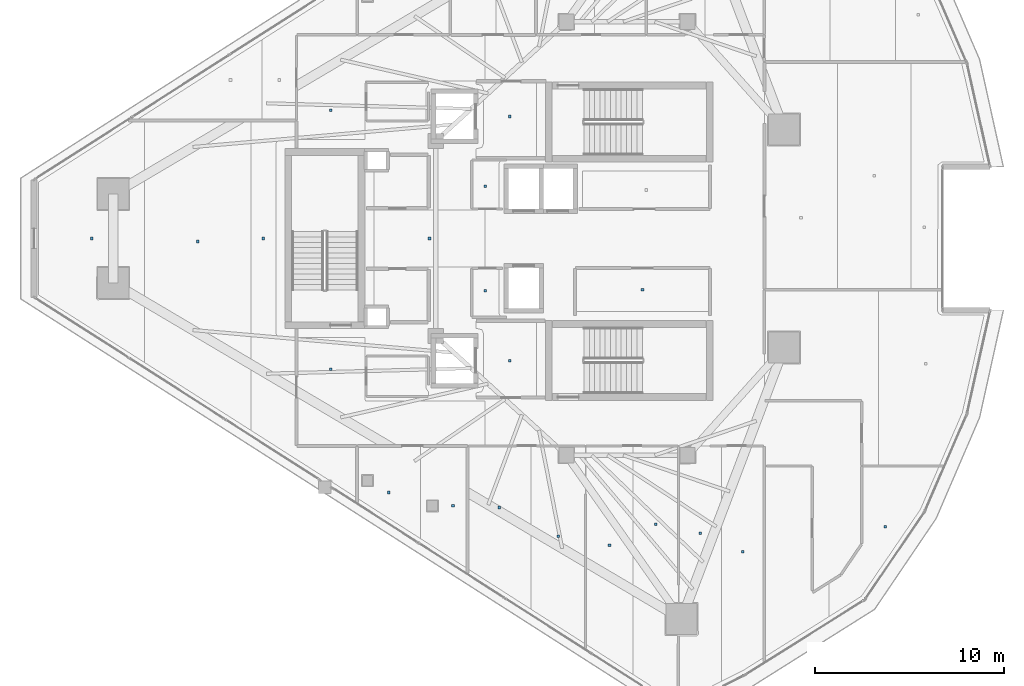
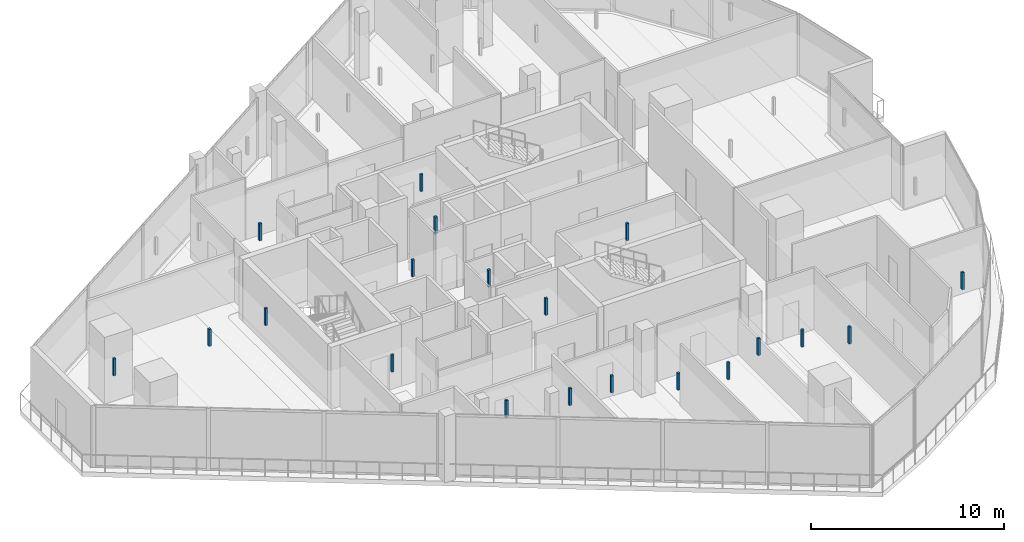
# One storey, part 26 of 33: 20 discrete accessories.
"""IFC4 building model written with IfcOpenShell, lengths in metres."""

from ifc_helpers import new_model, si_unit, direction, frame, origin, origin_2d, place, context, subcontext, project, spatial, rectangle, extrude, material, type_object, element, save


model = new_model("IFC4")

# Units and contexts
model_context = context("Model", 3, precision=1e-05, world=origin(), true_north=direction((0.0, 1.0)))
body_context = subcontext(model_context, "Body", "Model", "MODEL_VIEW")
ifc_project = project(units=[si_unit("LENGTHUNIT", "METRE"), si_unit("AREAUNIT", "SQUARE_METRE"), si_unit("VOLUMEUNIT", "CUBIC_METRE"), si_unit("PLANEANGLEUNIT", "RADIAN"), si_unit("MASSUNIT", "GRAM", prefix="KILO")], contexts=[model_context])

# Site, building, storey
site_placement = place(None, origin())
site = spatial("IfcSite", under=ifc_project, at=site_placement, CompositionType="ELEMENT")
building_placement = place(site_placement, origin())
building = spatial("IfcBuilding", under=site, at=building_placement, Name="Qorvath Tower", CompositionType="ELEMENT")
storey_placement = place(building_placement, frame((0.0, 0.0, 280.800048828125)))
storey = spatial("IfcBuildingStorey", under=building, at=storey_placement, Name="L65", CompositionType="ELEMENT", Elevation=280.800048828125)

# Discrete accessories
ifc_material = material(Name="Galvanised steel bracket", Category="steel")
discrete_accessory_type = type_object("IfcDiscreteAccessoryType", Name="DA-BRACKET", PredefinedType="BRACKET", material=ifc_material)
for number, where, z_axis, x_axis, name in (
    (1, (-26.590087890625, 6.449951171875, 2.85986328125), (0.0, 0.0, 1.0), (1.0, 0.0, 0.0), "Acoustic Ceiling Suspension Hanger T1-L65-001"),
    (2, (-26.590087890625, -6.449951171875, 2.85986328125), (0.0, 0.0, 1.0), (1.0, 0.0, 0.0), "Acoustic Ceiling Suspension Hanger T1-L65-002"),
    (3, (-19.574951171875, -2.70751953125, 2.85986328125), (0.0, 0.0, 1.0), (1.0, 0.0, 0.0), "Acoustic Ceiling Suspension Hanger T1-L65-004"),
    (4, (-27.87744140625, 2.762451171875, 2.85986328125), (0.0, 0.0, 1.0), (1.0, 0.0, 0.0), "Acoustic Ceiling Suspension Hanger T1-L65-005"),
    (5, (-27.87744140625, -2.762451171875, 2.85986328125), (0.0, 0.0, 1.0), (1.0, 0.0, 0.0), "Acoustic Ceiling Suspension Hanger T1-L65-006"),
    (6, (-36.04150390625, -6.907958984375, 2.85986328125), (0.0, 0.0, 1.0), (1.0, 0.0, 0.0), "Acoustic Ceiling Suspension Hanger T1-L65-011"),
    (7, (-36.040283203125, 6.782470703125, 2.85986328125), (0.0, 0.0, 1.0), (1.0, 0.0, 0.0), "Acoustic Ceiling Suspension Hanger T1-L65-012"),
    (8, (-30.8291015625, 0.0, 2.85986328125), (0.0, 0.0, 1.0), (1.0, 0.0, 0.0), "Acoustic Ceiling Suspension Hanger T1-L65-013"),
    (9, (-32.9755859375, -13.4140625, 2.85986328125), (0.0, 0.0, 1.0), (1.0, 0.0, 0.0), "Acoustic Ceiling Suspension Hanger T1-L65-021"),
    (10, (-29.587890625, -14.124267578125, 2.85986328125), (0.0, 0.0, 1.0), (1.0, 0.0, 0.0), "Acoustic Ceiling Suspension Hanger T1-L65-022"),
    (11, (-27.1396484375, -14.209228515625, 2.85986328125), (0.0, 0.0, 1.0), (1.0, 0.0, 0.0), "Acoustic Ceiling Suspension Hanger T1-L65-023"),
    (12, (-24.03662109375, -15.73388671875, 2.85986328125), (0.0, 0.0, 1.0), (1.0, 0.0, 0.0), "Acoustic Ceiling Suspension Hanger T1-L65-024"),
    (13, (-21.320556640625, -16.1982421875, 2.85986328125), (0.0, 0.0, 1.0), (1.0, 0.0, 0.0), "Acoustic Ceiling Suspension Hanger T1-L65-025"),
    (14, (-18.873779296875, -15.08984375, 2.85986328125), (0.0, 0.0, 1.0), (1.0, 0.0, 0.0), "Acoustic Ceiling Suspension Hanger T1-L65-026"),
    (15, (-16.530517578125, -15.563232421875, 2.85986328125), (0.0, 0.0, 1.0), (1.0, 0.0, 0.0), "Acoustic Ceiling Suspension Hanger T1-L65-027"),
    (16, (-14.276611328125, -16.543701171875, 2.85986328125), (0.0, 0.0, 1.0), (1.0, 0.0, 0.0), "Acoustic Ceiling Suspension Hanger T1-L65-028"),
    (17, (-6.751953125, -15.223388671875, 2.85986328125), (0.0, 0.0, 1.0), (1.0, 0.0, 0.0), "Acoustic Ceiling Suspension Hanger T1-L65-030"),
    (18, (-48.6796875, 0.0, 2.85986328125), (0.0, 0.0, 1.0), (1.0, 0.0, 0.0), "Acoustic Ceiling Suspension Hanger T1-L65-039"),
    (19, (-43.073486328125, -0.159912109375, 2.85986328125), (0.0, 0.0, 1.0), (1.0, 0.0, 0.0), "Acoustic Ceiling Suspension Hanger T1-L65-040"),
    (20, (-39.60986328125, 0.0, 2.85986328125), (0.0, 0.0, 1.0), (1.0, 0.0, 0.0), "Acoustic Ceiling Suspension Hanger T1-L65-041"),
):
    element("IfcDiscreteAccessory", number, at=place(storey_placement, frame(where, z_axis=z_axis, x_axis=x_axis)), inside=storey, type_object=discrete_accessory_type, Name=name, PredefinedType="NOTDEFINED", context=body_context, shape_type="SweptSolid", body=[
        extrude(rectangle(XDim=0.139892578125, YDim=0.139892578125, at=origin_2d()), origin(), (0.0, 0.0, 1.0), 1.080078125),
    ])

save(model, "model.ifc")
